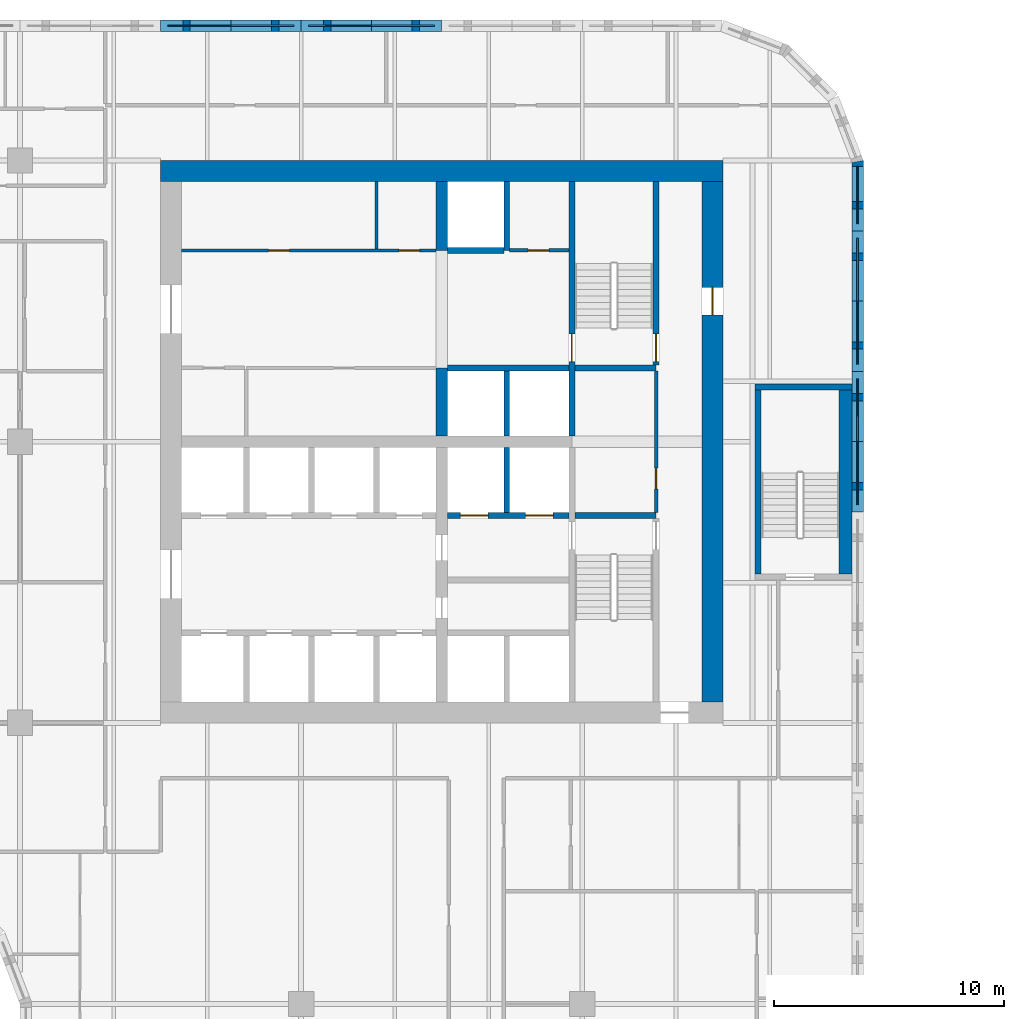
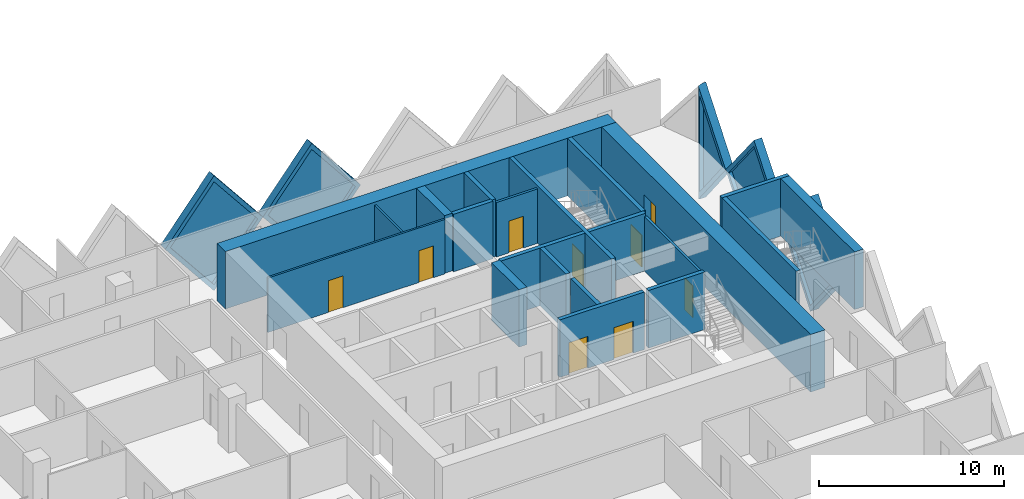
# One storey, part 10 of 19: 26 walls, 9 doors, 5 plates, 14 openings.
"""IFC4 building model written with IfcOpenShell, lengths in metres."""

from ifc_helpers import new_model, si_unit, direction, frame, frame_2d, origin, place, context, subcontext, project, spatial, polyline, rectangle, outline, extrude, faceted_brep, source, transform, mapped, material, layer, layer_set, type_object, element, fill, save


model = new_model("IFC4")

# Units and contexts
model_context = context("Model", 3, precision=1e-05, world=origin(), true_north=direction((0.0, 1.0)))
body_context = subcontext(model_context, "Body", "Model", "MODEL_VIEW")
ifc_project = project(units=[si_unit("LENGTHUNIT", "METRE"), si_unit("AREAUNIT", "SQUARE_METRE"), si_unit("VOLUMEUNIT", "CUBIC_METRE"), si_unit("PLANEANGLEUNIT", "RADIAN"), si_unit("MASSUNIT", "GRAM", prefix="KILO")], contexts=[model_context])

# Site, building, storey
site_placement = place(None, origin())
site = spatial("IfcSite", under=ifc_project, at=site_placement, CompositionType="ELEMENT")
building_placement = place(site_placement, origin())
building = spatial("IfcBuilding", under=site, at=building_placement, Name="Tessera Gate Towers", CompositionType="ELEMENT")
storey_placement = place(building_placement, frame((0.0, 0.0, 29.60009765625)))
storey = spatial("IfcBuildingStorey", under=building, at=storey_placement, Name="L06", CompositionType="ELEMENT", Elevation=29.60009765625)

# Wall, opening, door
ifc_material_1 = material(Name="Concrete C40/50", Category="concrete")
ifc_layer_1 = layer(ifc_material_1, 0.25)
ifc_layer_set_1 = layer_set([ifc_layer_1], Name="CORE ENCLOSURE WALL 250")
wall_type_1 = type_object("IfcWallType", Name="CORE ENCLOSURE WALL 250", PredefinedType="SOLIDWALL", material=ifc_layer_set_1)
wall_1_placement = place(storey_placement, frame((48.35009765625, 47.89990234375, 0.0), z_axis=(0.0, 0.0, 1.0), x_axis=(0.0, -1.0, 0.0)))
wall_1 = element("IfcWall", 1, at=wall_1_placement, inside=storey, type_object=wall_type_1, Name="L06 shaft and stair enclosure wall", PredefinedType="SOLIDWALL", context=body_context, shape_type="SweptSolid", body=[
    extrude(rectangle(XDim=11.0498046875, YDim=0.25, at=frame_2d((5.52490234375, 0.0))), origin(), (0.0, 0.0, 1.0), 3.7998046875),
])
shared_shape_1 = source(origin(), body_context, "Body", "SweptSolid", [
    extrude(rectangle(XDim=1.199951171875, YDim=2.10009765625, at=frame_2d((0.60009765625, 1.050048828125))), frame((0.0, 0.135009765625, 0.0), z_axis=(0.0, -1.0, 0.0), x_axis=(1.0, 0.0, 0.0)), (0.0, 0.0, 1.0), 0.27001953125),
])
opening_1_placement = place(wall_1_placement, frame((6.625, 0.0, 0.0)))
opening_1 = element("IfcOpeningElement", 2, at=opening_1_placement, cuts=wall_1, Name="Opening SD-ST2-1", PredefinedType="OPENING", context=body_context, shape_type="MappedRepresentation", body=[
    mapped(shared_shape_1, transform((0.0, 0.0, 0.0), scale=1.0)),
])
ifc_material_2 = material(Name="Hollow steel fire door", Category="steel")
door_type_1 = type_object("IfcDoorType", Name="CORE DOOR SD 1200x2100", OperationType="NOTDEFINED", PredefinedType="DOOR", material=ifc_material_2)
shared_shape_2 = source(origin(), body_context, "Body", "SweptSolid", [
    extrude(rectangle(XDim=1.199951171875, YDim=2.10009765625, at=frame_2d((0.60009765625, 1.050048828125))), frame((0.0, 0.02490234375, 0.0), z_axis=(0.0, -1.0, 0.0), x_axis=(1.0, 0.0, 0.0)), (0.0, 0.0, 1.0), 0.050048828125),
])
door_1_placement = place(opening_1_placement, origin())
door_1 = element("IfcDoor", 3, at=door_1_placement, inside=storey, type_object=door_type_1, Name="Stair door", OperationType="SINGLE_SWING_RIGHT", OverallHeight=2.10009765625, OverallWidth=1.199951171875, PredefinedType="DOOR", context=body_context, shape_type="MappedRepresentation", body=[
    mapped(shared_shape_2, transform((0.0, 0.0, 0.0), scale=1.0)),
])
fill(opening_1, door_1)

# Wall, openings, doors
wall_2_placement = place(storey_placement, frame((48.22509765625, 33.39990234375, 0.0), z_axis=(0.0, 0.0, 1.0), x_axis=(-1.0, 0.0, 0.0)))
wall_2 = element("IfcWall", 4, at=wall_2_placement, inside=storey, type_object=wall_type_1, Name="L06 shaft and stair enclosure wall", PredefinedType="SOLIDWALL", context=body_context, shape_type="SweptSolid", body=[
    extrude(rectangle(XDim=5.275146484375, YDim=0.25, at=frame_2d((2.6376953125, 0.0))), origin(), (0.0, 0.0, 1.0), 3.7998046875),
])
opening_2_placement = place(wall_2_placement, frame((3.512451171875, 0.0, 0.0)))
opening_2 = element("IfcOpeningElement", 5, at=opening_2_placement, cuts=wall_2, Name="Opening LD-FF1", PredefinedType="OPENING", context=body_context, shape_type="MappedRepresentation", body=[
    mapped(shared_shape_1, transform((0.0, 0.0, 0.0), scale=1.0)),
])
opening_3_placement = place(wall_2_placement, frame((0.6875, 0.0, 0.0)))
opening_3 = element("IfcOpeningElement", 6, at=opening_3_placement, cuts=wall_2, Name="Opening LD-FF2", PredefinedType="OPENING", context=body_context, shape_type="MappedRepresentation", body=[
    mapped(shared_shape_1, transform((0.0, 0.0, 0.0), scale=1.0)),
])
ifc_material_3 = material(Name="Stainless steel", Category="steel")
door_type_2 = type_object("IfcDoorType", Name="CORE DOOR LD1200 1200x2100", OperationType="DOUBLE_DOOR_SLIDING", PredefinedType="DOOR", material=ifc_material_3)
door_2_placement = place(opening_2_placement, origin())
door_2 = element("IfcDoor", 7, at=door_2_placement, inside=storey, type_object=door_type_2, Name="Landing door FF1 L06", OperationType="DOUBLE_DOOR_SLIDING", OverallHeight=2.10009765625, OverallWidth=1.199951171875, PredefinedType="DOOR", context=body_context, shape_type="MappedRepresentation", body=[
    mapped(shared_shape_2, transform((0.0, 0.0, 0.0), scale=1.0)),
])
fill(opening_2, door_2)
door_3_placement = place(opening_3_placement, origin())
door_3 = element("IfcDoor", 8, at=door_3_placement, inside=storey, type_object=door_type_2, Name="Landing door FF2 L06", OperationType="DOUBLE_DOOR_SLIDING", OverallHeight=2.10009765625, OverallWidth=1.199951171875, PredefinedType="DOOR", context=body_context, shape_type="MappedRepresentation", body=[
    mapped(shared_shape_2, transform((0.0, 0.0, 0.0), scale=1.0)),
])
fill(opening_3, door_3)

# Walls
wall_3_placement = place(storey_placement, frame((48.47509765625, 33.39990234375, 0.0), z_axis=(0.0, 0.0, 1.0), x_axis=(1.0, 0.0, 0.0)))
element("IfcWall", 9, at=wall_3_placement, inside=storey, type_object=wall_type_1, Name="L06 shaft and stair enclosure wall", PredefinedType="SOLIDWALL", context=body_context, shape_type="SweptSolid", body=[
    extrude(rectangle(XDim=3.52490234375, YDim=0.25, at=frame_2d((1.762451171875, 0.0))), origin(), (0.0, 0.0, 1.0), 3.7998046875),
])
wall_4_placement = place(storey_placement, frame((42.949951171875, 39.800048828125, 0.0), z_axis=(0.0, 0.0, 1.0), x_axis=(1.0, 0.0, 0.0)))
element("IfcWall", 10, at=wall_4_placement, inside=storey, type_object=wall_type_1, Name="L06 shaft and stair enclosure wall", PredefinedType="SOLIDWALL", context=body_context, shape_type="SweptSolid", body=[
    extrude(rectangle(XDim=5.275146484375, YDim=0.25, at=frame_2d((2.6376953125, 0.0))), origin(), (0.0, 0.0, 1.0), 3.7998046875),
])
wall_5_placement = place(storey_placement, frame((48.47509765625, 39.800048828125, 0.0), z_axis=(0.0, 0.0, 1.0), x_axis=(1.0, 0.0, 0.0)))
element("IfcWall", 11, at=wall_5_placement, inside=storey, type_object=wall_type_1, Name="L06 shaft and stair enclosure wall", PredefinedType="SOLIDWALL", context=body_context, shape_type="SweptSolid", body=[
    extrude(rectangle(XDim=3.52490234375, YDim=0.25, at=frame_2d((1.762451171875, 0.0))), origin(), (0.0, 0.0, 1.0), 3.7998046875),
])

# Wall, opening, door
wall_6_placement = place(storey_placement, frame((52.0, 39.925048828125, 0.0), z_axis=(0.0, 0.0, 1.0), x_axis=(0.0, 1.0, 0.0)))
wall_6 = element("IfcWall", 12, at=wall_6_placement, inside=storey, type_object=wall_type_1, Name="L06 shaft and stair enclosure wall", PredefinedType="SOLIDWALL", context=body_context, shape_type="SweptSolid", body=[
    extrude(rectangle(XDim=7.974853515625, YDim=0.25, at=frame_2d((3.9873046875, 0.0))), origin(), (0.0, 0.0, 1.0), 3.7998046875),
])
opening_4_placement = place(wall_6_placement, frame((0.14990234375, 0.0, 0.0)))
opening_4 = element("IfcOpeningElement", 13, at=opening_4_placement, cuts=wall_6, Name="Opening SD-ST2-2", PredefinedType="OPENING", context=body_context, shape_type="MappedRepresentation", body=[
    mapped(shared_shape_1, transform((0.0, 0.0, 0.0), scale=1.0)),
])
door_4_placement = place(opening_4_placement, origin())
door_4 = element("IfcDoor", 14, at=door_4_placement, inside=storey, type_object=door_type_1, Name="Stair door", OperationType="SINGLE_SWING_LEFT", OverallHeight=2.10009765625, OverallWidth=1.199951171875, PredefinedType="DOOR", context=body_context, shape_type="MappedRepresentation", body=[
    mapped(shared_shape_2, transform((0.0, 0.0, 0.0), scale=1.0)),
])
fill(opening_4, door_4)

# Walls
wall_7_placement = place(storey_placement, frame((45.52490234375, 33.52490234375, 0.0), z_axis=(0.0, 0.0, 1.0), x_axis=(0.0, 1.0, 0.0)))
element("IfcWall", 15, at=wall_7_placement, inside=storey, type_object=wall_type_1, Name="L06 shaft and stair enclosure wall", PredefinedType="SOLIDWALL", context=body_context, shape_type="SweptSolid", body=[
    extrude(rectangle(XDim=2.8251953125, YDim=0.25, at=frame_2d((1.41259765625, 0.0))), origin(), (0.0, 0.0, 1.0), 3.7998046875),
])
wall_8_placement = place(storey_placement, frame((45.52490234375, 36.85009765625, 0.0), z_axis=(0.0, 0.0, 1.0), x_axis=(0.0, 1.0, 0.0)))
element("IfcWall", 16, at=wall_8_placement, inside=storey, type_object=wall_type_1, Name="L06 shaft and stair enclosure wall", PredefinedType="SOLIDWALL", context=body_context, shape_type="SweptSolid", body=[
    extrude(rectangle(XDim=2.824951171875, YDim=0.25, at=frame_2d((1.41259765625, 0.0))), origin(), (0.0, 0.0, 1.0), 3.7998046875),
])
wall_9_placement = place(storey_placement, frame((45.52490234375, 44.89990234375, 0.0), z_axis=(0.0, 0.0, 1.0), x_axis=(0.0, 1.0, 0.0)))
element("IfcWall", 17, at=wall_9_placement, inside=storey, type_object=wall_type_1, Name="L06 shaft and stair enclosure wall", PredefinedType="SOLIDWALL", context=body_context, shape_type="SweptSolid", body=[
    extrude(rectangle(XDim=3.0, YDim=0.25, at=frame_2d((1.5, 0.0))), origin(), (0.0, 0.0, 1.0), 3.7998046875),
])
wall_10_placement = place(storey_placement, frame((42.949951171875, 44.89990234375, 0.0), z_axis=(0.0, 0.0, 1.0), x_axis=(1.0, 0.0, 0.0)))
element("IfcWall", 18, at=wall_10_placement, inside=storey, type_object=wall_type_1, Name="L06 shaft and stair enclosure wall", PredefinedType="SOLIDWALL", context=body_context, shape_type="SweptSolid", body=[
    extrude(rectangle(XDim=2.449951171875, YDim=0.25, at=frame_2d((1.22509765625, 0.0))), origin(), (0.0, 0.0, 1.0), 3.7998046875),
])
wall_11_placement = place(storey_placement, frame((56.425048828125, 30.85009765625, 0.0), z_axis=(0.0, 0.0, 1.0), x_axis=(0.0, 1.0, 0.0)))
element("IfcWall", 19, at=wall_11_placement, inside=storey, type_object=wall_type_1, Name="L06 ST5 enclosure wall", PredefinedType="SOLIDWALL", context=body_context, shape_type="SweptSolid", body=[
    extrude(rectangle(XDim=8.0, YDim=0.25, at=frame_2d((4.0, 0.0))), origin(), (0.0, 0.0, 1.0), 3.7998046875),
])
wall_12_placement = place(storey_placement, frame((56.300048828125, 38.97509765625, 0.0), z_axis=(0.0, 0.0, 1.0), x_axis=(1.0, 0.0, 0.0)))
element("IfcWall", 20, at=wall_12_placement, inside=storey, type_object=wall_type_1, Name="L06 ST5 enclosure wall", PredefinedType="SOLIDWALL", context=body_context, shape_type="SweptSolid", body=[
    extrude(rectangle(XDim=4.199951171875, YDim=0.25, at=frame_2d((2.10009765625, 0.0))), origin(), (0.0, 0.0, 1.0), 3.7998046875),
])
ifc_material_4 = material(Name="Concrete C40/50", Category="concrete")
ifc_layer_2 = layer(ifc_material_4, 0.550048828125)
ifc_layer_set_2 = layer_set([ifc_layer_2], Name="CORE ENCLOSURE WALL 550")
wall_type_2 = type_object("IfcWallType", Name="CORE ENCLOSURE WALL 550", PredefinedType="SOLIDWALL", material=ifc_layer_set_2)
wall_13_placement = place(storey_placement, frame((60.22509765625, 38.85009765625, 0.0), z_axis=(0.0, 0.0, 1.0), x_axis=(0.0, -1.0, 0.0)))
element("IfcWall", 21, at=wall_13_placement, inside=storey, type_object=wall_type_2, Name="L06 ST5 enclosure wall", PredefinedType="SOLIDWALL", context=body_context, shape_type="SweptSolid", body=[
    extrude(rectangle(XDim=8.0, YDim=0.550048828125, at=frame_2d((4.0, 0.0))), origin(), (0.0, 0.0, 1.0), 3.7998046875),
])

# Wall, openings, doors
ifc_material_5 = material(Name="Gypsum board on steel studs", Category="steel")
ifc_layer_3 = layer(ifc_material_5, 0.1201171875)
ifc_layer_set_3 = layer_set([ifc_layer_3], Name="CORE PARTITION 120")
wall_type_3 = type_object("IfcWallType", Name="CORE PARTITION 120", PredefinedType="PARTITIONING", material=ifc_layer_set_3)
wall_14_placement = place(storey_placement, frame((31.39990234375, 44.89990234375, 0.0), z_axis=(0.0, 0.0, 1.0), x_axis=(1.0, 0.0, 0.0)))
wall_14 = element("IfcWall", 22, at=wall_14_placement, inside=storey, type_object=wall_type_3, Name="L06 core partition", PredefinedType="PARTITIONING", context=body_context, shape_type="SweptSolid", body=[
    extrude(rectangle(XDim=11.050048828125, YDim=0.1201171875, at=frame_2d((5.52490234375, 0.0))), origin(), (0.0, 0.0, 1.0), 3.599853515625),
])
shared_shape_3 = source(origin(), body_context, "Body", "SweptSolid", [
    extrude(rectangle(XDim=0.89990234375, YDim=2.10009765625, at=frame_2d((0.449951171875, 1.050048828125))), frame((0.0, 0.070068359375, 0.0), z_axis=(0.0, -1.0, 0.0), x_axis=(1.0, 0.0, 0.0)), (0.0, 0.0, 1.0), 0.14013671875),
])
opening_5_placement = place(wall_14_placement, frame((3.78759765625, 0.0, 0.0)))
opening_5 = element("IfcOpeningElement", 23, at=opening_5_placement, cuts=wall_14, Name="Opening RD-T1-06-07", PredefinedType="OPENING", context=body_context, shape_type="MappedRepresentation", body=[
    mapped(shared_shape_3, transform((0.0, 0.0, 0.0), scale=1.0)),
])
opening_6_placement = place(wall_14_placement, frame((9.4375, 0.0, 0.0)))
opening_6 = element("IfcOpeningElement", 24, at=opening_6_placement, cuts=wall_14, Name="Opening RD-T1-06-08", PredefinedType="OPENING", context=body_context, shape_type="MappedRepresentation", body=[
    mapped(shared_shape_3, transform((0.0, 0.0, 0.0), scale=1.0)),
])
ifc_material_6 = material(Name="Hollow steel fire door", Category="steel")
door_type_3 = type_object("IfcDoorType", Name="CORE DOOR RD 900x2100", OperationType="NOTDEFINED", PredefinedType="DOOR", material=ifc_material_6)
shared_shape_4 = source(origin(), body_context, "Body", "SweptSolid", [
    extrude(rectangle(XDim=0.89990234375, YDim=2.10009765625, at=frame_2d((0.449951171875, 1.050048828125))), frame((0.0, 0.02490234375, 0.0), z_axis=(0.0, -1.0, 0.0), x_axis=(1.0, 0.0, 0.0)), (0.0, 0.0, 1.0), 0.050048828125),
])
door_5_placement = place(opening_5_placement, origin())
door_5 = element("IfcDoor", 25, at=door_5_placement, inside=storey, type_object=door_type_3, Name="Core room door", OperationType="SINGLE_SWING_LEFT", OverallHeight=2.10009765625, OverallWidth=0.89990234375, PredefinedType="DOOR", context=body_context, shape_type="MappedRepresentation", body=[
    mapped(shared_shape_4, transform((0.0, 0.0, 0.0), scale=1.0)),
])
fill(opening_5, door_5)
door_6_placement = place(opening_6_placement, origin())
door_6 = element("IfcDoor", 26, at=door_6_placement, inside=storey, type_object=door_type_3, Name="Core room door", OperationType="SINGLE_SWING_RIGHT", OverallHeight=2.10009765625, OverallWidth=0.89990234375, PredefinedType="DOOR", context=body_context, shape_type="MappedRepresentation", body=[
    mapped(shared_shape_4, transform((0.0, 0.0, 0.0), scale=1.0)),
])
fill(opening_6, door_6)

# Walls
wall_15_placement = place(storey_placement, frame((39.875, 44.9599609375, 0.0), z_axis=(0.0, 0.0, 1.0), x_axis=(0.0, 1.0, 0.0)))
element("IfcWall", 27, at=wall_15_placement, inside=storey, type_object=wall_type_3, Name="L06 core partition", PredefinedType="PARTITIONING", context=body_context, shape_type="SweptSolid", body=[
    extrude(rectangle(XDim=2.93994140625, YDim=0.1201171875, at=frame_2d((1.469970703125, 0.0))), origin(), (0.0, 0.0, 1.0), 3.599853515625),
])
ifc_material_7 = material(Name="Concrete C70/85", Category="concrete")
ifc_layer_4 = layer(ifc_material_7, 0.89990234375)
ifc_layer_set_4 = layer_set([ifc_layer_4], Name="CORE SHEAR WALL 900 C70/85")
wall_type_4 = type_object("IfcWallType", Name="CORE SHEAR WALL 900 C70/85", PredefinedType="SHEAR", material=ifc_layer_set_4)
wall_16_placement = place(storey_placement, frame((30.5, 48.35009765625, 0.0), z_axis=(0.0, 0.0, 1.0), x_axis=(1.0, 0.0, 0.0)))
element("IfcWall", 28, at=wall_16_placement, inside=storey, type_object=wall_type_4, Name="Core wall N L06", PredefinedType="SHEAR", context=body_context, shape_type="SweptSolid", body=[
    extrude(rectangle(XDim=24.39990234375, YDim=0.89990234375, at=frame_2d((12.199951171875, 0.0))), origin(), (0.0, 0.0, 1.0), 3.7998046875),
])

# Wall, opening, door
wall_17_placement = place(storey_placement, frame((54.449951171875, 47.89990234375, 0.0), z_axis=(0.0, 0.0, 1.0), x_axis=(0.0, -1.0, 0.0)))
wall_17 = element("IfcWall", 29, at=wall_17_placement, inside=storey, type_object=wall_type_4, Name="Core wall E L06", PredefinedType="SHEAR", context=body_context, shape_type="SweptSolid", body=[
    extrude(rectangle(XDim=22.599853515625, YDim=0.89990234375, at=frame_2d((11.2998046875, 0.0))), origin(), (0.0, 0.0, 1.0), 3.7998046875),
])
shared_shape_5 = source(origin(), body_context, "Body", "SweptSolid", [
    extrude(rectangle(XDim=1.199951171875, YDim=2.10009765625, at=frame_2d((0.60009765625, 1.050048828125))), frame((0.0, 0.4599609375, 0.0), z_axis=(0.0, -1.0, 0.0), x_axis=(1.0, 0.0, 0.0)), (0.0, 0.0, 1.0), 0.919921875),
])
opening_7_placement = place(wall_17_placement, frame((4.60009765625, 0.0, 0.0)))
opening_7 = element("IfcOpeningElement", 30, at=opening_7_placement, cuts=wall_17, Name="Opening ED-T1-06-04", PredefinedType="OPENING", context=body_context, shape_type="MappedRepresentation", body=[
    mapped(shared_shape_5, transform((0.0, 0.0, 0.0), scale=1.0)),
])
ifc_material_8 = material(Name="Hollow steel fire door", Category="steel")
door_type_4 = type_object("IfcDoorType", Name="CORE DOOR ED 1200x2100", OperationType="NOTDEFINED", PredefinedType="DOOR", material=ifc_material_8)
door_7_placement = place(opening_7_placement, origin())
door_7 = element("IfcDoor", 31, at=door_7_placement, inside=storey, type_object=door_type_4, Name="Core exit door", OperationType="SINGLE_SWING_LEFT", OverallHeight=2.10009765625, OverallWidth=1.199951171875, PredefinedType="DOOR", context=body_context, shape_type="MappedRepresentation", body=[
    mapped(shared_shape_2, transform((0.0, 0.0, 0.0), scale=1.0)),
])
fill(opening_7, door_7)

# Walls
ifc_material_9 = material(Name="Concrete C70/85", Category="concrete")
ifc_layer_5 = layer(ifc_material_9, 0.5)
ifc_layer_set_5 = layer_set([ifc_layer_5], Name="CORE SPINE WALL 500 C70/85")
wall_type_5 = type_object("IfcWallType", Name="CORE SPINE WALL 500 C70/85", PredefinedType="SHEAR", material=ifc_layer_set_5)
wall_18_placement = place(storey_placement, frame((42.699951171875, 36.85009765625, 0.0), z_axis=(0.0, 0.0, 1.0), x_axis=(0.0, 1.0, 0.0)))
element("IfcWall", 32, at=wall_18_placement, inside=storey, type_object=wall_type_5, Name="Core wall spine L06", PredefinedType="SHEAR", context=body_context, shape_type="SweptSolid", body=[
    extrude(rectangle(XDim=2.949951171875, YDim=0.5, at=frame_2d((1.47509765625, 0.0))), origin(), (0.0, 0.0, 1.0), 3.7998046875),
])
wall_19_placement = place(storey_placement, frame((42.699951171875, 44.89990234375, 0.0), z_axis=(0.0, 0.0, 1.0), x_axis=(0.0, 1.0, 0.0)))
element("IfcWall", 33, at=wall_19_placement, inside=storey, type_object=wall_type_5, Name="Core wall spine L06", PredefinedType="SHEAR", context=body_context, shape_type="SweptSolid", body=[
    extrude(rectangle(XDim=3.0, YDim=0.5, at=frame_2d((1.5, 0.0))), origin(), (0.0, 0.0, 1.0), 3.7998046875),
])

# Wall, opening, door
ifc_material_10 = material(Name="Gypsum board on steel studs", Category="steel")
ifc_layer_6 = layer(ifc_material_10, 0.14990234375)
ifc_layer_set_6 = layer_set([ifc_layer_6], Name="SERVICE ROOM WALL 150")
wall_type_6 = type_object("IfcWallType", Name="SERVICE ROOM WALL 150", PredefinedType="PARTITIONING", material=ifc_layer_set_6)
wall_20_placement = place(storey_placement, frame((52.0, 33.52490234375, 0.0), z_axis=(0.0, 0.0, 1.0), x_axis=(0.0, 1.0, 0.0)))
wall_20 = element("IfcWall", 34, at=wall_20_placement, inside=storey, type_object=wall_type_6, Name="L06 service room wall", PredefinedType="PARTITIONING", context=body_context, shape_type="SweptSolid", body=[
    extrude(rectangle(XDim=6.150146484375, YDim=0.14990234375, at=frame_2d((3.0751953125, 0.0))), origin(), (0.0, 0.0, 1.0), 3.599853515625),
])
shared_shape_6 = source(origin(), body_context, "Body", "SweptSolid", [
    extrude(rectangle(XDim=0.89990234375, YDim=2.10009765625, at=frame_2d((0.449951171875, 1.050048828125))), frame((0.0, 0.0849609375, 0.0), z_axis=(0.0, -1.0, 0.0), x_axis=(1.0, 0.0, 0.0)), (0.0, 0.0, 1.0), 0.169921875),
])
opening_8_placement = place(wall_20_placement, frame((1.02490234375, 0.0, 0.0)))
opening_8 = element("IfcOpeningElement", 35, at=opening_8_placement, cuts=wall_20, Name="Opening RD-T1-06-10", PredefinedType="OPENING", context=body_context, shape_type="MappedRepresentation", body=[
    mapped(shared_shape_6, transform((0.0, 0.0, 0.0), scale=1.0)),
])
door_8_placement = place(opening_8_placement, origin())
door_8 = element("IfcDoor", 36, at=door_8_placement, inside=storey, type_object=door_type_3, Name="Core room door", OperationType="SINGLE_SWING_LEFT", OverallHeight=2.10009765625, OverallWidth=0.89990234375, PredefinedType="DOOR", context=body_context, shape_type="MappedRepresentation", body=[
    mapped(shared_shape_4, transform((0.0, 0.0, 0.0), scale=1.0)),
])
fill(opening_8, door_8)

wall_21_placement = place(storey_placement, frame((45.64990234375, 44.89990234375, 0.0), z_axis=(0.0, 0.0, 1.0), x_axis=(1.0, 0.0, 0.0)))
wall_21 = element("IfcWall", 37, at=wall_21_placement, inside=storey, type_object=wall_type_6, Name="L06 service room wall", PredefinedType="PARTITIONING", context=body_context, shape_type="SweptSolid", body=[
    extrude(rectangle(XDim=2.5751953125, YDim=0.14990234375, at=frame_2d((1.28759765625, 0.0))), origin(), (0.0, 0.0, 1.0), 3.599853515625),
])
opening_9_placement = place(wall_21_placement, frame((0.800048828125, 0.0, 0.0)))
opening_9 = element("IfcOpeningElement", 38, at=opening_9_placement, cuts=wall_21, Name="Opening RD-T1-06-11", PredefinedType="OPENING", context=body_context, shape_type="MappedRepresentation", body=[
    mapped(shared_shape_6, transform((0.0, 0.0, 0.0), scale=1.0)),
])
door_9_placement = place(opening_9_placement, origin())
door_9 = element("IfcDoor", 39, at=door_9_placement, inside=storey, type_object=door_type_3, Name="Core room door", OperationType="SINGLE_SWING_LEFT", OverallHeight=2.10009765625, OverallWidth=0.89990234375, PredefinedType="DOOR", context=body_context, shape_type="MappedRepresentation", body=[
    mapped(shared_shape_4, transform((0.0, 0.0, 0.0), scale=1.0)),
])
fill(opening_9, door_9)

# Wall, opening, plate
ifc_material_11 = material(Name="Precast concrete C60/75 white", Category="concrete")
ifc_layer_7 = layer(ifc_material_11, 0.5)
ifc_layer_set_7 = layer_set([ifc_layer_7], Name="TS1 tessera")
wall_type_7 = type_object("IfcWallType", Name="TS1 tessera", PredefinedType="SOLIDWALL", material=ifc_layer_set_7)
shared_shape_7 = source(origin(), body_context, "Body", "Brep", [
    faceted_brep([(3.050048828125, -0.25, 0.0), (6.099853515625, -0.25, 3.7998046875), (6.099853515625, -0.25, 3.80029296875), (3.050048828125, -0.25, 7.599853515625), (0.0, -0.25, 3.800048828125), (0.0, 0.25, 3.800048828125), (3.050048828125, 0.25, 7.599853515625), (6.099853515625, 0.25, 3.80029296875), (6.099853515625, 0.25, 3.7998046875), (3.050048828125, 0.25, 0.0)], [[[0, 1, 2, 3, 4]], [[5, 6, 7, 8, 9]], [[9, 8, 1, 0]], [[7, 6, 3, 2]], [[6, 5, 4, 3]], [[5, 9, 0, 4]], [[1, 8, 7, 2]]]),
])
wall_22_placement = place(storey_placement, frame((60.75, 33.550048828125, -3.800048828125), z_axis=(0.0, 0.0, 1.0), x_axis=(0.0, 1.0, 0.0)))
wall_22 = element("IfcWall", 40, at=wall_22_placement, inside=storey, type_object=wall_type_7, Name="Precast tessera T1 TS1-0031", PredefinedType="SOLIDWALL", context=body_context, shape_type="MappedRepresentation", body=[
    mapped(shared_shape_7, transform((0.0, 0.0, 0.0), scale=1.0)),
])
shared_shape_8 = source(origin(), body_context, "Body", "SweptSolid", [
    extrude(outline(polyline([(3.050048828125, 0.3994140625), (5.779541015625, 3.800048828125), (3.050048828125, 7.200439453125), (0.320556640625, 3.800048828125), (3.050048828125, 0.3994140625)])), frame((0.0, 0.260009765625, 0.0), z_axis=(0.0, -1.0, 0.0), x_axis=(1.0, 0.0, 0.0)), (0.0, 0.0, 1.0), 0.52001953125),
])
opening_10_placement = place(wall_22_placement, origin())
opening_10 = element("IfcOpeningElement", 41, at=opening_10_placement, cuts=wall_22, Name="Opening T1-PL2-0059", PredefinedType="OPENING", context=body_context, shape_type="MappedRepresentation", body=[
    mapped(shared_shape_8, transform((0.0, 0.0, 0.0), scale=1.0)),
])
ifc_material_12 = material(Name="Low-e laminated glass", Category="glass")
ifc_layer_8 = layer(ifc_material_12, 0.06005859375)
ifc_layer_set_8 = layer_set([ifc_layer_8], Name="PL2 rhombic pane")
plate_type = type_object("IfcPlateType", Name="PL2 rhombic pane", PredefinedType="SHEET", material=ifc_layer_set_8)
shared_shape_9 = source(origin(), body_context, "Body", "SweptSolid", [
    extrude(outline(polyline([(3.050048828125, 0.3994140625), (5.779541015625, 3.800048828125), (3.050048828125, 7.200439453125), (0.320556640625, 3.800048828125), (3.050048828125, 0.3994140625)])), frame((0.0, 0.030029296875, 0.0), z_axis=(0.0, -1.0, 0.0), x_axis=(1.0, 0.0, 0.0)), (0.0, 0.0, 1.0), 0.06005859375),
])
plate_1_placement = place(opening_10_placement, origin())
plate_1 = element("IfcPlate", 42, at=plate_1_placement, inside=storey, type_object=plate_type, Name="Glass pane T1 PL2-0059", PredefinedType="SHEET", context=body_context, shape_type="MappedRepresentation", body=[
    mapped(shared_shape_9, transform((0.0, 0.0, 0.0), scale=1.0)),
])
fill(opening_10, plate_1)

wall_23_placement = place(storey_placement, frame((42.699951171875, 54.64990234375, -3.800048828125), z_axis=(0.0, 0.0, 1.0), x_axis=(-1.0, 0.0, 0.0)))
wall_23 = element("IfcWall", 43, at=wall_23_placement, inside=storey, type_object=wall_type_7, Name="Precast tessera T1 TS1-0035", PredefinedType="SOLIDWALL", context=body_context, shape_type="MappedRepresentation", body=[
    mapped(shared_shape_7, transform((0.0, 0.0, 0.0), scale=1.0)),
])
opening_11_placement = place(wall_23_placement, origin())
opening_11 = element("IfcOpeningElement", 44, at=opening_11_placement, cuts=wall_23, Name="Opening T1-PL2-0067", PredefinedType="OPENING", context=body_context, shape_type="MappedRepresentation", body=[
    mapped(shared_shape_8, transform((0.0, 0.0, 0.0), scale=1.0)),
])
plate_2_placement = place(opening_11_placement, origin())
plate_2 = element("IfcPlate", 45, at=plate_2_placement, inside=storey, type_object=plate_type, Name="Glass pane T1 PL2-0067", PredefinedType="SHEET", context=body_context, shape_type="MappedRepresentation", body=[
    mapped(shared_shape_9, transform((0.0, 0.0, 0.0), scale=1.0)),
])
fill(opening_11, plate_2)

shared_shape_10 = source(origin(), body_context, "Body", "SweptSolid", [
    extrude(outline(polyline([(3.050048828125, 0.0), (6.10009765625, 3.800048828125), (3.050048828125, 7.599853515625), (0.0, 3.800048828125), (3.050048828125, 0.0)])), frame((0.0, 0.25, 0.0), z_axis=(0.0, -1.0, 0.0), x_axis=(1.0, 0.0, 0.0)), (0.0, 0.0, 1.0), 0.5),
])
wall_24_placement = place(storey_placement, frame((60.75, 39.64990234375, -3.800048828125), z_axis=(0.0, 0.0, 1.0), x_axis=(0.0, 1.0, 0.0)))
wall_24 = element("IfcWall", 46, at=wall_24_placement, inside=storey, type_object=wall_type_7, Name="Precast tessera T1 TS1-0032", PredefinedType="SOLIDWALL", context=body_context, shape_type="MappedRepresentation", body=[
    mapped(shared_shape_10, transform((0.0, 0.0, 0.0), scale=1.0)),
])
opening_12_placement = place(wall_24_placement, origin())
opening_12 = element("IfcOpeningElement", 47, at=opening_12_placement, cuts=wall_24, Name="Opening T1-PL2-0060", PredefinedType="OPENING", context=body_context, shape_type="MappedRepresentation", body=[
    mapped(shared_shape_8, transform((0.0, 0.0, 0.0), scale=1.0)),
])
plate_3_placement = place(opening_12_placement, origin())
plate_3 = element("IfcPlate", 48, at=plate_3_placement, inside=storey, type_object=plate_type, Name="Glass pane T1 PL2-0060", PredefinedType="SHEET", context=body_context, shape_type="MappedRepresentation", body=[
    mapped(shared_shape_9, transform((0.0, 0.0, 0.0), scale=1.0)),
])
fill(opening_12, plate_3)

wall_25_placement = place(storey_placement, frame((36.60009765625, 54.64990234375, -3.800048828125), z_axis=(0.0, 0.0, 1.0), x_axis=(-1.0, 0.0, 0.0)))
wall_25 = element("IfcWall", 49, at=wall_25_placement, inside=storey, type_object=wall_type_7, Name="Precast tessera T1 TS1-0036", PredefinedType="SOLIDWALL", context=body_context, shape_type="MappedRepresentation", body=[
    mapped(shared_shape_10, transform((0.0, 0.0, 0.0), scale=1.0)),
])
opening_13_placement = place(wall_25_placement, origin())
opening_13 = element("IfcOpeningElement", 50, at=opening_13_placement, cuts=wall_25, Name="Opening T1-PL2-0068", PredefinedType="OPENING", context=body_context, shape_type="MappedRepresentation", body=[
    mapped(shared_shape_8, transform((0.0, 0.0, 0.0), scale=1.0)),
])
plate_4_placement = place(opening_13_placement, origin())
plate_4 = element("IfcPlate", 51, at=plate_4_placement, inside=storey, type_object=plate_type, Name="Glass pane T1 PL2-0068", PredefinedType="SHEET", context=body_context, shape_type="MappedRepresentation", body=[
    mapped(shared_shape_9, transform((0.0, 0.0, 0.0), scale=1.0)),
])
fill(opening_13, plate_4)

ifc_material_13 = material(Name="Precast concrete C60/75 white", Category="concrete")
ifc_layer_9 = layer(ifc_material_13, 0.5)
ifc_layer_set_9 = layer_set([ifc_layer_9], Name="TS3 corner tessera")
wall_type_8 = type_object("IfcWallType", Name="TS3 corner tessera", PredefinedType="SOLIDWALL", material=ifc_layer_set_9)
shared_shape_11 = source(origin(), body_context, "Body", "Brep", [
    faceted_brep([(3.00341796875, -0.25, 0.0), (3.050048828125, -0.25, 0.06005859375), (3.050048828125, -0.25, 7.539794921875), (3.00341796875, -0.25, 7.599853515625), (0.0, -0.25, 3.800048828125), (0.0, 0.25, 3.800048828125), (2.956787109375, 0.25, 7.541015625), (2.956787109375, 0.25, 0.058837890625), (3.00341796875, 0.000244140625, 0.0), (3.00341796875, 0.000244140625, 7.599853515625)], [[[0, 1, 2, 3, 4]], [[5, 6, 7]], [[1, 0, 8]], [[9, 3, 2]], [[6, 5, 4, 3, 9]], [[5, 7, 8, 0, 4]], [[1, 8, 7, 6, 9, 2]]]),
])
wall_26_placement = place(storey_placement, frame((60.75, 45.75, -3.800048828125), z_axis=(0.0, 0.0, 1.0), x_axis=(0.0, 1.0, 0.0)))
wall_26 = element("IfcWall", 52, at=wall_26_placement, inside=storey, type_object=wall_type_8, Name="Precast corner tessera T1 TS3-0101", PredefinedType="SOLIDWALL", context=body_context, shape_type="MappedRepresentation", body=[
    mapped(shared_shape_11, transform((0.0, 0.0, 0.0), scale=1.0)),
])
shared_shape_12 = source(origin(), body_context, "Body", "SweptSolid", [
    extrude(outline(polyline([(2.803466796875, 6.94384765625), (0.318603515625, 3.800048828125), (2.803466796875, 0.65625), (2.803466796875, 6.94384765625)])), frame((0.0, 0.260009765625, 0.0), z_axis=(0.0, -1.0, 0.0), x_axis=(1.0, 0.0, 0.0)), (0.0, 0.0, 1.0), 0.52001953125),
])
opening_14_placement = place(wall_26_placement, origin())
opening_14 = element("IfcOpeningElement", 53, at=opening_14_placement, cuts=wall_26, Name="Opening T1-PL2-0061", PredefinedType="OPENING", context=body_context, shape_type="MappedRepresentation", body=[
    mapped(shared_shape_12, transform((0.0, 0.0, 0.0), scale=1.0)),
])
shared_shape_13 = source(origin(), body_context, "Body", "SweptSolid", [
    extrude(outline(polyline([(2.803466796875, 6.94384765625), (0.318603515625, 3.800048828125), (2.803466796875, 0.65625), (2.803466796875, 6.94384765625)])), frame((0.0, 0.030029296875, 0.0), z_axis=(0.0, -1.0, 0.0), x_axis=(1.0, 0.0, 0.0)), (0.0, 0.0, 1.0), 0.06005859375),
])
plate_5_placement = place(opening_14_placement, origin())
plate_5 = element("IfcPlate", 54, at=plate_5_placement, inside=storey, type_object=plate_type, Name="Glass pane T1 PL2-0061", PredefinedType="SHEET", context=body_context, shape_type="MappedRepresentation", body=[
    mapped(shared_shape_13, transform((0.0, 0.0, 0.0), scale=1.0)),
])
fill(opening_14, plate_5)

save(model, "model.ifc")
